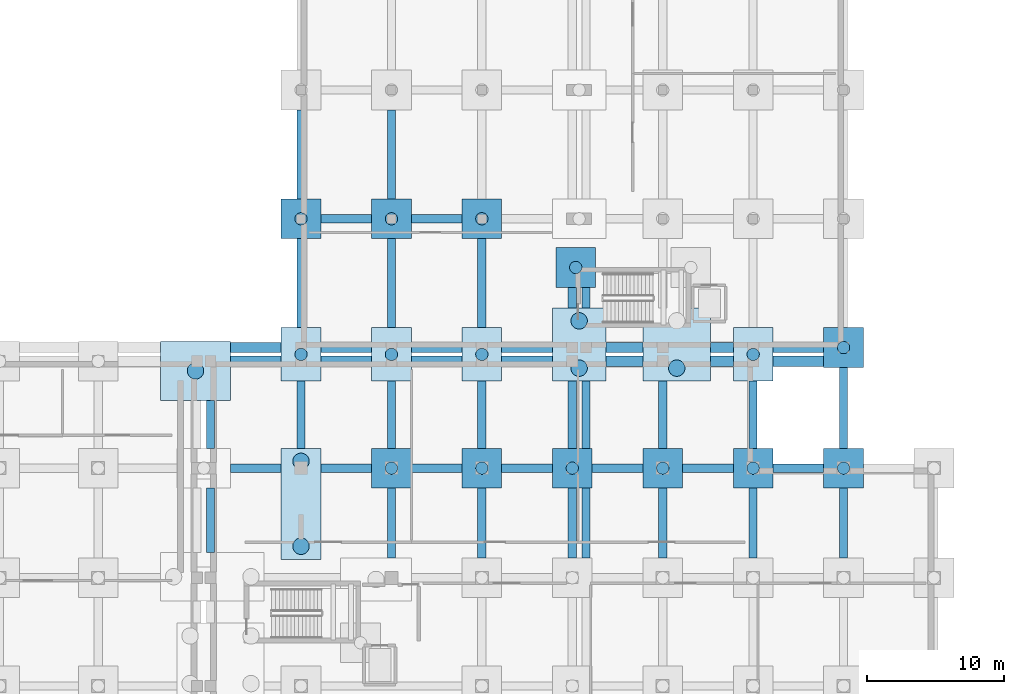
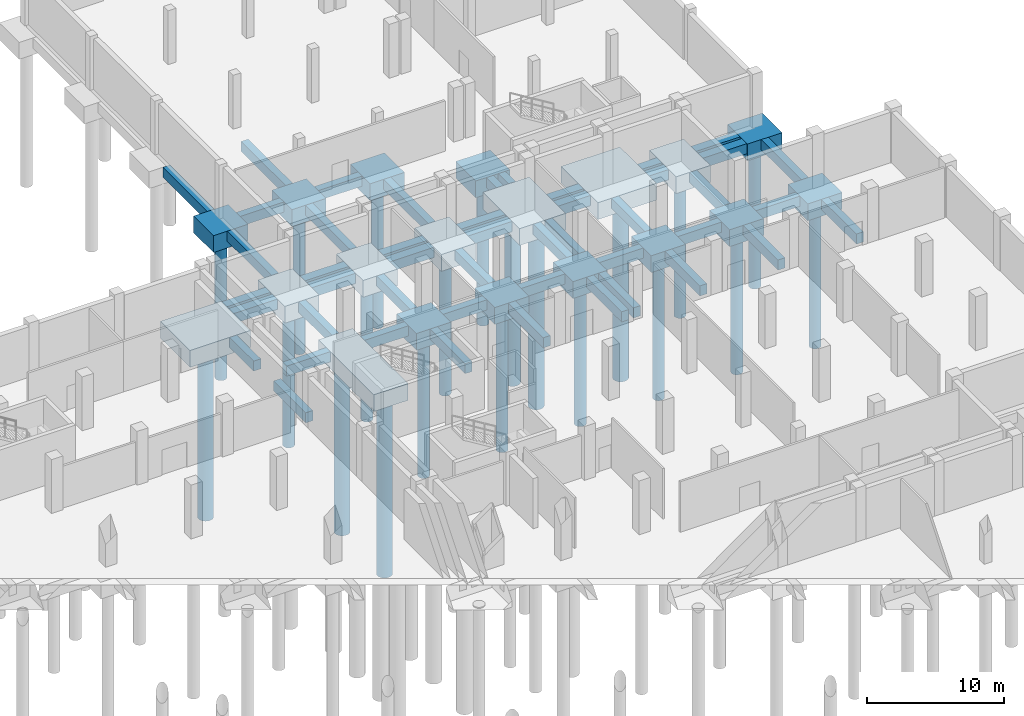
# One storey, part 9 of 29: 66 footings, 21 piles.
"""IFC4 building model written with IfcOpenShell, lengths in metres."""

from ifc_helpers import new_model, si_unit, direction, frame, origin, origin_2d, place, context, subcontext, project, spatial, polyline, rectangle, circle, outline, extrude, material, material_profile, profile_set, type_object, element, save


model = new_model("IFC4")

# Units and contexts
model_context = context("Model", 3, precision=1e-05, world=origin(), true_north=direction((0.0, 1.0)))
body_context = subcontext(model_context, "Body", "Model", "MODEL_VIEW")
ifc_project = project(units=[si_unit("LENGTHUNIT", "METRE"), si_unit("AREAUNIT", "SQUARE_METRE"), si_unit("VOLUMEUNIT", "CUBIC_METRE"), si_unit("PLANEANGLEUNIT", "RADIAN"), si_unit("MASSUNIT", "GRAM", prefix="KILO")], contexts=[model_context])

# Site, building, storey
site_placement = place(None, origin())
site = spatial("IfcSite", under=ifc_project, at=site_placement, CompositionType="ELEMENT")
building_placement = place(site_placement, origin())
building = spatial("IfcBuilding", under=site, at=building_placement, Name="Kelarvand Opera House", CompositionType="ELEMENT")
storey_placement = place(building_placement, frame((0.0, 0.0, -9.60009765625)))
storey = spatial("IfcBuildingStorey", under=building, at=storey_placement, Name="B2", CompositionType="ELEMENT", Elevation=-9.60009765625)

# Piles
ifc_material = material(Name="Concrete C40/50", Category="concrete")
ifc_material_profile_1 = material_profile(ifc_material, circle(Radius=0.60009765625, at=origin_2d()), Name="BP 1200", Category="concrete")
ifc_profile_set_1 = profile_set([ifc_material_profile_1], Name="Concrete C40/50")
pile_type_1 = type_object("IfcPileType", Name="Bored Pile 1200 Concrete C40/50", PredefinedType="BORED", material=ifc_profile_set_1)
for number, where, z_axis, x_axis, name in (
    (1, (95.60009765625, 72.699951171875, -1.7998046875), (0.0, 0.0, -1.0), (1.0, 0.0, 0.0), "V1 Bored Pile 195"),
    (2, (95.60009765625, 78.89990234375, -1.7998046875), (0.0, 0.0, -1.0), (1.0, 0.0, 0.0), "V1 Bored Pile 196"),
    (3, (87.89990234375, 85.5, -1.7998046875), (0.0, 0.0, -1.0), (1.0, 0.0, 0.0), "V1 Bored Pile 215"),
    (4, (115.89990234375, 85.699951171875, -1.7998046875), (0.0, 0.0, -1.0), (1.0, 0.0, 0.0), "V1 Bored Pile 224"),
    (5, (115.89990234375, 89.14990234375, -1.7998046875), (0.0, 0.0, -1.0), (1.0, 0.0, 0.0), "V1 Bored Pile 225"),
    (6, (123.02490234375, 85.699951171875, -1.7998046875), (0.0, 0.0, -1.0), (1.0, 0.0, 0.0), "V1 Bored Pile 226"),
):
    element("IfcPile", number, at=place(storey_placement, frame(where, z_axis=z_axis, x_axis=x_axis)), inside=storey, type_object=pile_type_1, Name=name, PredefinedType="BORED", context=body_context, shape_type="SweptSolid", body=[
        extrude(circle(Radius=0.60009765625, at=origin_2d()), origin(), (0.0, 0.0, 1.0), 15.60009765625),
    ])
ifc_material_profile_2 = material_profile(ifc_material, circle(Radius=0.449951171875, at=origin_2d()), Name="BP 900", Category="concrete")
ifc_profile_set_2 = profile_set([ifc_material_profile_2], Name="Concrete C40/50")
pile_type_2 = type_object("IfcPileType", Name="Bored Pile 900 Concrete C40/50", PredefinedType="BORED", material=ifc_profile_set_2)
for number, where, z_axis, x_axis, name in (
    (7, (102.199951171875, 78.39990234375, -1.7998046875), (0.0, 0.0, -1.0), (1.0, 0.0, 0.0), "V1 Bored Pile 208"),
    (8, (108.800048828125, 78.39990234375, -1.7998046875), (0.0, 0.0, -1.0), (1.0, 0.0, 0.0), "V1 Bored Pile 209"),
    (9, (115.39990234375, 78.39990234375, -1.7998046875), (0.0, 0.0, -1.0), (1.0, 0.0, 0.0), "V1 Bored Pile 210"),
    (10, (122.0, 78.39990234375, -1.7998046875), (0.0, 0.0, -1.0), (1.0, 0.0, 0.0), "V1 Bored Pile 211"),
    (11, (128.60009765625, 78.39990234375, -1.7998046875), (0.0, 0.0, -1.0), (1.0, 0.0, 0.0), "V1 Bored Pile 212"),
    (12, (135.199951171875, 78.39990234375, -1.7998046875), (0.0, 0.0, -1.0), (1.0, 0.0, 0.0), "V1 Bored Pile 213"),
    (13, (95.60009765625, 86.699951171875, -1.7998046875), (0.0, 0.0, -1.0), (1.0, 0.0, 0.0), "V1 Bored Pile 221"),
    (14, (102.199951171875, 86.699951171875, -1.7998046875), (0.0, 0.0, -1.0), (1.0, 0.0, 0.0), "V1 Bored Pile 222"),
    (15, (108.800048828125, 86.699951171875, -1.7998046875), (0.0, 0.0, -1.0), (1.0, 0.0, 0.0), "V1 Bored Pile 223"),
    (16, (128.60009765625, 86.699951171875, -1.7998046875), (0.0, 0.0, -1.0), (1.0, 0.0, 0.0), "V1 Bored Pile 228"),
    (17, (135.199951171875, 87.199951171875, -1.7998046875), (0.0, 0.0, -1.0), (1.0, 0.0, 0.0), "V5 Bored Pile 240"),
    (18, (115.64990234375, 93.050048828125, -1.7998046875), (0.0, 0.0, -1.0), (1.0, 0.0, 0.0), "V5 Bored Pile 244"),
    (19, (95.60009765625, 96.60009765625, -1.7998046875), (0.0, 0.0, -1.0), (1.0, 0.0, 0.0), "V5 Bored Pile 252"),
    (20, (102.199951171875, 96.60009765625, -1.7998046875), (0.0, 0.0, -1.0), (1.0, 0.0, 0.0), "V5 Bored Pile 253"),
    (21, (108.800048828125, 96.60009765625, -1.7998046875), (0.0, 0.0, -1.0), (1.0, 0.0, 0.0), "V5 Bored Pile 254"),
):
    element("IfcPile", number, at=place(storey_placement, frame(where, z_axis=z_axis, x_axis=x_axis)), inside=storey, type_object=pile_type_2, Name=name, PredefinedType="BORED", context=body_context, shape_type="SweptSolid", body=[
        extrude(circle(Radius=0.449951171875, at=origin_2d()), origin(), (0.0, 0.0, 1.0), 12.60009765625),
    ])

# Footings
footing_type_1 = type_object("IfcFootingType", Name="Ground Tie Beam 600x900 Concrete C40/50", PredefinedType="FOOTING_BEAM", material=ifc_material)
footing_1_placement = place(storey_placement, frame((0.0, 0.0, -1.2998046875)))
element("IfcFooting", 22, at=footing_1_placement, inside=storey, type_object=footing_type_1, Name="Ground Beam 177", PredefinedType="FOOTING_BEAM", context=body_context, shape_type="SweptSolid", body=[
    extrude(outline(polyline([(90.449951171875, 78.10009765625), (94.14990234375, 78.10009765625), (94.14990234375, 78.699951171875), (90.449951171875, 78.699951171875), (90.449951171875, 78.10009765625)])), origin(), (0.0, 0.0, 1.0), 0.89990234375),
])
footing_2_placement = place(storey_placement, frame((0.0, 0.0, -1.2998046875)))
element("IfcFooting", 23, at=footing_2_placement, inside=storey, type_object=footing_type_1, Name="Ground Beam 178", PredefinedType="FOOTING_BEAM", context=body_context, shape_type="SweptSolid", body=[
    extrude(outline(polyline([(97.050048828125, 78.10009765625), (100.75, 78.10009765625), (100.75, 78.699951171875), (97.050048828125, 78.699951171875), (97.050048828125, 78.10009765625)])), origin(), (0.0, 0.0, 1.0), 0.89990234375),
])
footing_3_placement = place(storey_placement, frame((0.0, 0.0, -1.2998046875)))
element("IfcFooting", 24, at=footing_3_placement, inside=storey, type_object=footing_type_1, Name="Ground Beam 179", PredefinedType="FOOTING_BEAM", context=body_context, shape_type="SweptSolid", body=[
    extrude(outline(polyline([(103.64990234375, 78.10009765625), (107.35009765625, 78.10009765625), (107.35009765625, 78.699951171875), (103.64990234375, 78.699951171875), (103.64990234375, 78.10009765625)])), origin(), (0.0, 0.0, 1.0), 0.89990234375),
])
footing_4_placement = place(storey_placement, frame((0.0, 0.0, -1.2998046875)))
element("IfcFooting", 25, at=footing_4_placement, inside=storey, type_object=footing_type_1, Name="Ground Beam 180", PredefinedType="FOOTING_BEAM", context=body_context, shape_type="SweptSolid", body=[
    extrude(outline(polyline([(110.25, 78.10009765625), (113.949951171875, 78.10009765625), (113.949951171875, 78.699951171875), (110.25, 78.699951171875), (110.25, 78.10009765625)])), origin(), (0.0, 0.0, 1.0), 0.89990234375),
])
footing_5_placement = place(storey_placement, frame((0.0, 0.0, -1.2998046875)))
element("IfcFooting", 26, at=footing_5_placement, inside=storey, type_object=footing_type_1, Name="Ground Beam 181", PredefinedType="FOOTING_BEAM", context=body_context, shape_type="SweptSolid", body=[
    extrude(outline(polyline([(116.85009765625, 78.10009765625), (120.550048828125, 78.10009765625), (120.550048828125, 78.699951171875), (116.85009765625, 78.699951171875), (116.85009765625, 78.10009765625)])), origin(), (0.0, 0.0, 1.0), 0.89990234375),
])
footing_6_placement = place(storey_placement, frame((0.0, 0.0, -1.2998046875)))
element("IfcFooting", 27, at=footing_6_placement, inside=storey, type_object=footing_type_1, Name="Ground Beam 182", PredefinedType="FOOTING_BEAM", context=body_context, shape_type="SweptSolid", body=[
    extrude(outline(polyline([(123.449951171875, 78.10009765625), (127.14990234375, 78.10009765625), (127.14990234375, 78.699951171875), (123.449951171875, 78.699951171875), (123.449951171875, 78.10009765625)])), origin(), (0.0, 0.0, 1.0), 0.89990234375),
])
footing_7_placement = place(storey_placement, frame((0.0, 0.0, -1.2998046875)))
element("IfcFooting", 28, at=footing_7_placement, inside=storey, type_object=footing_type_1, Name="Ground Beam 183", PredefinedType="FOOTING_BEAM", context=body_context, shape_type="SweptSolid", body=[
    extrude(outline(polyline([(130.050048828125, 78.10009765625), (133.75, 78.10009765625), (133.75, 78.699951171875), (130.050048828125, 78.699951171875), (130.050048828125, 78.10009765625)])), origin(), (0.0, 0.0, 1.0), 0.89990234375),
])
footing_8_placement = place(storey_placement, frame((0.0, 0.0, -1.2998046875)))
element("IfcFooting", 29, at=footing_8_placement, inside=storey, type_object=footing_type_1, Name="Ground Beam 224", PredefinedType="FOOTING_BEAM", context=body_context, shape_type="SweptSolid", body=[
    extrude(outline(polyline([(97.050048828125, 96.300048828125), (100.75, 96.300048828125), (100.75, 96.89990234375), (97.050048828125, 96.89990234375), (97.050048828125, 96.300048828125)])), origin(), (0.0, 0.0, 1.0), 0.89990234375),
])
footing_9_placement = place(storey_placement, frame((0.0, 0.0, -1.2998046875)))
element("IfcFooting", 30, at=footing_9_placement, inside=storey, type_object=footing_type_1, Name="Ground Beam 225", PredefinedType="FOOTING_BEAM", context=body_context, shape_type="SweptSolid", body=[
    extrude(outline(polyline([(103.64990234375, 96.300048828125), (107.35009765625, 96.300048828125), (107.35009765625, 96.89990234375), (103.64990234375, 96.89990234375), (103.64990234375, 96.300048828125)])), origin(), (0.0, 0.0, 1.0), 0.89990234375),
])
footing_10_placement = place(storey_placement, frame((0.0, 0.0, -1.2998046875)))
element("IfcFooting", 31, at=footing_10_placement, inside=storey, type_object=footing_type_1, Name="Ground Beam 391", PredefinedType="FOOTING_BEAM", context=body_context, shape_type="SweptSolid", body=[
    extrude(outline(polyline([(88.699951171875, 72.25), (89.300048828125, 72.25), (89.300048828125, 76.949951171875), (88.699951171875, 76.949951171875), (88.699951171875, 72.25)])), origin(), (0.0, 0.0, 1.0), 0.89990234375),
])
footing_11_placement = place(storey_placement, frame((0.0, 0.0, -1.2998046875)))
element("IfcFooting", 32, at=footing_11_placement, inside=storey, type_object=footing_type_1, Name="Ground Beam 392", PredefinedType="FOOTING_BEAM", context=body_context, shape_type="SweptSolid", body=[
    extrude(outline(polyline([(88.699951171875, 79.85009765625), (89.300048828125, 79.85009765625), (89.300048828125, 83.35009765625), (88.699951171875, 83.35009765625), (88.699951171875, 79.85009765625)])), origin(), (0.0, 0.0, 1.0), 0.89990234375),
])
footing_12_placement = place(storey_placement, frame((0.0, 0.0, -1.2998046875)))
element("IfcFooting", 33, at=footing_12_placement, inside=storey, type_object=footing_type_1, Name="Ground Beam 400", PredefinedType="FOOTING_BEAM", context=body_context, shape_type="SweptSolid", body=[
    extrude(outline(polyline([(95.300048828125, 79.85009765625), (95.89990234375, 79.85009765625), (95.89990234375, 84.75), (95.300048828125, 84.75), (95.300048828125, 79.85009765625)])), origin(), (0.0, 0.0, 1.0), 0.89990234375),
])
footing_13_placement = place(storey_placement, frame((0.0, 0.0, -1.2998046875)))
element("IfcFooting", 34, at=footing_13_placement, inside=storey, type_object=footing_type_1, Name="Ground Beam 401", PredefinedType="FOOTING_BEAM", context=body_context, shape_type="SweptSolid", body=[
    extrude(outline(polyline([(95.300048828125, 88.64990234375), (95.89990234375, 88.64990234375), (95.89990234375, 95.14990234375), (95.300048828125, 95.14990234375), (95.300048828125, 88.64990234375)])), origin(), (0.0, 0.0, 1.0), 0.89990234375),
])
footing_14_placement = place(storey_placement, frame((0.0, 0.0, -1.2998046875)))
element("IfcFooting", 35, at=footing_14_placement, inside=storey, type_object=footing_type_1, Name="Ground Beam 402", PredefinedType="FOOTING_BEAM", context=body_context, shape_type="SweptSolid", body=[
    extrude(outline(polyline([(95.300048828125, 98.050048828125), (95.89990234375, 98.050048828125), (95.89990234375, 104.550048828125), (95.300048828125, 104.550048828125), (95.300048828125, 98.050048828125)])), origin(), (0.0, 0.0, 1.0), 0.89990234375),
])
footing_15_placement = place(storey_placement, frame((0.0, 0.0, -1.2998046875)))
element("IfcFooting", 36, at=footing_15_placement, inside=storey, type_object=footing_type_1, Name="Ground Beam 411", PredefinedType="FOOTING_BEAM", context=body_context, shape_type="SweptSolid", body=[
    extrude(outline(polyline([(101.89990234375, 71.85009765625), (102.5, 71.85009765625), (102.5, 76.949951171875), (101.89990234375, 76.949951171875), (101.89990234375, 71.85009765625)])), origin(), (0.0, 0.0, 1.0), 0.89990234375),
])
footing_16_placement = place(storey_placement, frame((0.0, 0.0, -1.2998046875)))
element("IfcFooting", 37, at=footing_16_placement, inside=storey, type_object=footing_type_1, Name="Ground Beam 412", PredefinedType="FOOTING_BEAM", context=body_context, shape_type="SweptSolid", body=[
    extrude(outline(polyline([(101.89990234375, 79.85009765625), (102.5, 79.85009765625), (102.5, 84.75), (101.89990234375, 84.75), (101.89990234375, 79.85009765625)])), origin(), (0.0, 0.0, 1.0), 0.89990234375),
])
footing_17_placement = place(storey_placement, frame((0.0, 0.0, -1.2998046875)))
element("IfcFooting", 38, at=footing_17_placement, inside=storey, type_object=footing_type_1, Name="Ground Beam 413", PredefinedType="FOOTING_BEAM", context=body_context, shape_type="SweptSolid", body=[
    extrude(outline(polyline([(101.89990234375, 88.64990234375), (102.5, 88.64990234375), (102.5, 95.14990234375), (101.89990234375, 95.14990234375), (101.89990234375, 88.64990234375)])), origin(), (0.0, 0.0, 1.0), 0.89990234375),
])
footing_18_placement = place(storey_placement, frame((0.0, 0.0, -1.2998046875)))
element("IfcFooting", 39, at=footing_18_placement, inside=storey, type_object=footing_type_1, Name="Ground Beam 414", PredefinedType="FOOTING_BEAM", context=body_context, shape_type="SweptSolid", body=[
    extrude(outline(polyline([(101.89990234375, 98.050048828125), (102.5, 98.050048828125), (102.5, 104.550048828125), (101.89990234375, 104.550048828125), (101.89990234375, 98.050048828125)])), origin(), (0.0, 0.0, 1.0), 0.89990234375),
])
footing_19_placement = place(storey_placement, frame((0.0, 0.0, -1.2998046875)))
element("IfcFooting", 40, at=footing_19_placement, inside=storey, type_object=footing_type_1, Name="Ground Beam 425", PredefinedType="FOOTING_BEAM", context=body_context, shape_type="SweptSolid", body=[
    extrude(outline(polyline([(108.5, 71.85009765625), (109.10009765625, 71.85009765625), (109.10009765625, 76.949951171875), (108.5, 76.949951171875), (108.5, 71.85009765625)])), origin(), (0.0, 0.0, 1.0), 0.89990234375),
])
footing_20_placement = place(storey_placement, frame((0.0, 0.0, -1.2998046875)))
element("IfcFooting", 41, at=footing_20_placement, inside=storey, type_object=footing_type_1, Name="Ground Beam 426", PredefinedType="FOOTING_BEAM", context=body_context, shape_type="SweptSolid", body=[
    extrude(outline(polyline([(108.5, 79.85009765625), (109.10009765625, 79.85009765625), (109.10009765625, 84.75), (108.5, 84.75), (108.5, 79.85009765625)])), origin(), (0.0, 0.0, 1.0), 0.89990234375),
])
footing_21_placement = place(storey_placement, frame((0.0, 0.0, -1.2998046875)))
element("IfcFooting", 42, at=footing_21_placement, inside=storey, type_object=footing_type_1, Name="Ground Beam 427", PredefinedType="FOOTING_BEAM", context=body_context, shape_type="SweptSolid", body=[
    extrude(outline(polyline([(108.5, 88.64990234375), (109.10009765625, 88.64990234375), (109.10009765625, 95.14990234375), (108.5, 95.14990234375), (108.5, 88.64990234375)])), origin(), (0.0, 0.0, 1.0), 0.89990234375),
])
footing_22_placement = place(storey_placement, frame((0.0, 0.0, -1.2998046875)))
element("IfcFooting", 43, at=footing_22_placement, inside=storey, type_object=footing_type_1, Name="Ground Beam 439", PredefinedType="FOOTING_BEAM", context=body_context, shape_type="SweptSolid", body=[
    extrude(outline(polyline([(115.10009765625, 71.85009765625), (115.699951171875, 71.85009765625), (115.699951171875, 76.949951171875), (115.10009765625, 76.949951171875), (115.10009765625, 71.85009765625)])), origin(), (0.0, 0.0, 1.0), 0.89990234375),
])
footing_23_placement = place(storey_placement, frame((0.0, 0.0, -1.2998046875)))
element("IfcFooting", 44, at=footing_23_placement, inside=storey, type_object=footing_type_1, Name="Ground Beam 440", PredefinedType="FOOTING_BEAM", context=body_context, shape_type="SweptSolid", body=[
    extrude(outline(polyline([(115.10009765625, 79.85009765625), (115.699951171875, 79.85009765625), (115.699951171875, 84.75), (115.10009765625, 84.75), (115.10009765625, 79.85009765625)])), origin(), (0.0, 0.0, 1.0), 0.89990234375),
])
footing_24_placement = place(storey_placement, frame((0.0, 0.0, -1.2998046875)))
element("IfcFooting", 45, at=footing_24_placement, inside=storey, type_object=footing_type_1, Name="Ground Beam 441", PredefinedType="FOOTING_BEAM", context=body_context, shape_type="SweptSolid", body=[
    extrude(outline(polyline([(115.10009765625, 90.10009765625), (115.699951171875, 90.10009765625), (115.699951171875, 91.60009765625), (115.10009765625, 91.60009765625), (115.10009765625, 90.10009765625)])), origin(), (0.0, 0.0, 1.0), 0.89990234375),
])
footing_25_placement = place(storey_placement, frame((0.0, 0.0, -1.2998046875)))
element("IfcFooting", 46, at=footing_25_placement, inside=storey, type_object=footing_type_1, Name="Ground Beam 453", PredefinedType="FOOTING_BEAM", context=body_context, shape_type="SweptSolid", body=[
    extrude(outline(polyline([(116.10009765625, 71.85009765625), (116.699951171875, 71.85009765625), (116.699951171875, 76.949951171875), (116.10009765625, 76.949951171875), (116.10009765625, 71.85009765625)])), origin(), (0.0, 0.0, 1.0), 0.89990234375),
])
footing_26_placement = place(storey_placement, frame((0.0, 0.0, -1.2998046875)))
element("IfcFooting", 47, at=footing_26_placement, inside=storey, type_object=footing_type_1, Name="Ground Beam 454", PredefinedType="FOOTING_BEAM", context=body_context, shape_type="SweptSolid", body=[
    extrude(outline(polyline([(116.10009765625, 79.85009765625), (116.699951171875, 79.85009765625), (116.699951171875, 84.75), (116.10009765625, 84.75), (116.10009765625, 79.85009765625)])), origin(), (0.0, 0.0, 1.0), 0.89990234375),
])
footing_27_placement = place(storey_placement, frame((0.0, 0.0, -1.2998046875)))
element("IfcFooting", 48, at=footing_27_placement, inside=storey, type_object=footing_type_1, Name="Ground Beam 455", PredefinedType="FOOTING_BEAM", context=body_context, shape_type="SweptSolid", body=[
    extrude(outline(polyline([(116.10009765625, 90.10009765625), (116.699951171875, 90.10009765625), (116.699951171875, 91.60009765625), (116.10009765625, 91.60009765625), (116.10009765625, 90.10009765625)])), origin(), (0.0, 0.0, 1.0), 0.89990234375),
])
footing_28_placement = place(storey_placement, frame((0.0, 0.0, -1.2998046875)))
element("IfcFooting", 49, at=footing_28_placement, inside=storey, type_object=footing_type_1, Name="Ground Beam 467", PredefinedType="FOOTING_BEAM", context=body_context, shape_type="SweptSolid", body=[
    extrude(outline(polyline([(121.699951171875, 71.85009765625), (122.300048828125, 71.85009765625), (122.300048828125, 76.949951171875), (121.699951171875, 76.949951171875), (121.699951171875, 71.85009765625)])), origin(), (0.0, 0.0, 1.0), 0.89990234375),
])
footing_29_placement = place(storey_placement, frame((0.0, 0.0, -1.2998046875)))
element("IfcFooting", 50, at=footing_29_placement, inside=storey, type_object=footing_type_1, Name="Ground Beam 468", PredefinedType="FOOTING_BEAM", context=body_context, shape_type="SweptSolid", body=[
    extrude(outline(polyline([(121.699951171875, 79.85009765625), (122.300048828125, 79.85009765625), (122.300048828125, 84.75), (121.699951171875, 84.75), (121.699951171875, 79.85009765625)])), origin(), (0.0, 0.0, 1.0), 0.89990234375),
])
footing_30_placement = place(storey_placement, frame((0.0, 0.0, -1.2998046875)))
element("IfcFooting", 51, at=footing_30_placement, inside=storey, type_object=footing_type_1, Name="Ground Beam 481", PredefinedType="FOOTING_BEAM", context=body_context, shape_type="SweptSolid", body=[
    extrude(outline(polyline([(128.300048828125, 71.85009765625), (128.89990234375, 71.85009765625), (128.89990234375, 76.949951171875), (128.300048828125, 76.949951171875), (128.300048828125, 71.85009765625)])), origin(), (0.0, 0.0, 1.0), 0.89990234375),
])
footing_31_placement = place(storey_placement, frame((0.0, 0.0, -1.2998046875)))
element("IfcFooting", 52, at=footing_31_placement, inside=storey, type_object=footing_type_1, Name="Ground Beam 482", PredefinedType="FOOTING_BEAM", context=body_context, shape_type="SweptSolid", body=[
    extrude(outline(polyline([(128.300048828125, 79.85009765625), (128.89990234375, 79.85009765625), (128.89990234375, 84.75), (128.300048828125, 84.75), (128.300048828125, 79.85009765625)])), origin(), (0.0, 0.0, 1.0), 0.89990234375),
])
footing_32_placement = place(storey_placement, frame((0.0, 0.0, -1.2998046875)))
element("IfcFooting", 53, at=footing_32_placement, inside=storey, type_object=footing_type_1, Name="Ground Beam 495", PredefinedType="FOOTING_BEAM", context=body_context, shape_type="SweptSolid", body=[
    extrude(outline(polyline([(134.89990234375, 71.85009765625), (135.5, 71.85009765625), (135.5, 76.949951171875), (134.89990234375, 76.949951171875), (134.89990234375, 71.85009765625)])), origin(), (0.0, 0.0, 1.0), 0.89990234375),
])
footing_33_placement = place(storey_placement, frame((0.0, 0.0, -1.2998046875)))
element("IfcFooting", 54, at=footing_33_placement, inside=storey, type_object=footing_type_1, Name="Ground Beam 496", PredefinedType="FOOTING_BEAM", context=body_context, shape_type="SweptSolid", body=[
    extrude(outline(polyline([(134.89990234375, 79.85009765625), (135.5, 79.85009765625), (135.5, 85.75), (134.89990234375, 85.75), (134.89990234375, 79.85009765625)])), origin(), (0.0, 0.0, 1.0), 0.89990234375),
])
footing_type_2 = type_object("IfcFootingType", Name="Perimeter Strip Footing 750x900 Concrete C40/50", PredefinedType="STRIP_FOOTING", material=ifc_material)
footing_34_placement = place(storey_placement, frame((0.0, 0.0, -1.2998046875)))
element("IfcFooting", 55, at=footing_34_placement, inside=storey, type_object=footing_type_2, Name="Ground Beam 195", PredefinedType="STRIP_FOOTING", context=body_context, shape_type="SweptSolid", body=[
    extrude(outline(polyline([(90.449951171875, 85.824951171875), (94.14990234375, 85.824951171875), (94.14990234375, 86.574951171875), (90.449951171875, 86.574951171875), (90.449951171875, 85.824951171875)])), origin(), (0.0, 0.0, 1.0), 0.89990234375),
])
footing_35_placement = place(storey_placement, frame((0.0, 0.0, -1.2998046875)))
element("IfcFooting", 56, at=footing_35_placement, inside=storey, type_object=footing_type_2, Name="Ground Beam 196", PredefinedType="STRIP_FOOTING", context=body_context, shape_type="SweptSolid", body=[
    extrude(outline(polyline([(97.050048828125, 85.824951171875), (100.75, 85.824951171875), (100.75, 86.574951171875), (97.050048828125, 86.574951171875), (97.050048828125, 85.824951171875)])), origin(), (0.0, 0.0, 1.0), 0.89990234375),
])
footing_36_placement = place(storey_placement, frame((0.0, 0.0, -1.2998046875)))
element("IfcFooting", 57, at=footing_36_placement, inside=storey, type_object=footing_type_2, Name="Ground Beam 197", PredefinedType="STRIP_FOOTING", context=body_context, shape_type="SweptSolid", body=[
    extrude(outline(polyline([(103.64990234375, 85.824951171875), (107.35009765625, 85.824951171875), (107.35009765625, 86.574951171875), (103.64990234375, 86.574951171875), (103.64990234375, 85.824951171875)])), origin(), (0.0, 0.0, 1.0), 0.89990234375),
])
footing_37_placement = place(storey_placement, frame((0.0, 0.0, -1.2998046875)))
element("IfcFooting", 58, at=footing_37_placement, inside=storey, type_object=footing_type_2, Name="Ground Beam 198", PredefinedType="STRIP_FOOTING", context=body_context, shape_type="SweptSolid", body=[
    extrude(outline(polyline([(110.25, 85.824951171875), (113.949951171875, 85.824951171875), (113.949951171875, 86.574951171875), (110.25, 86.574951171875), (110.25, 85.824951171875)])), origin(), (0.0, 0.0, 1.0), 0.89990234375),
])
footing_38_placement = place(storey_placement, frame((0.0, 0.0, -1.2998046875)))
element("IfcFooting", 59, at=footing_38_placement, inside=storey, type_object=footing_type_2, Name="Ground Beam 199", PredefinedType="STRIP_FOOTING", context=body_context, shape_type="SweptSolid", body=[
    extrude(outline(polyline([(117.85009765625, 85.824951171875), (120.550048828125, 85.824951171875), (120.550048828125, 86.574951171875), (117.85009765625, 86.574951171875), (117.85009765625, 85.824951171875)])), origin(), (0.0, 0.0, 1.0), 0.89990234375),
])
footing_39_placement = place(storey_placement, frame((0.0, 0.0, -1.2998046875)))
element("IfcFooting", 60, at=footing_39_placement, inside=storey, type_object=footing_type_2, Name="Ground Beam 200", PredefinedType="STRIP_FOOTING", context=body_context, shape_type="SweptSolid", body=[
    extrude(outline(polyline([(125.5, 85.824951171875), (127.14990234375, 85.824951171875), (127.14990234375, 86.574951171875), (125.5, 86.574951171875), (125.5, 85.824951171875)])), origin(), (0.0, 0.0, 1.0), 0.89990234375),
])
footing_40_placement = place(storey_placement, frame((0.0, 0.0, -1.2998046875)))
element("IfcFooting", 61, at=footing_40_placement, inside=storey, type_object=footing_type_2, Name="Ground Beam 201", PredefinedType="STRIP_FOOTING", context=body_context, shape_type="SweptSolid", body=[
    extrude(outline(polyline([(130.050048828125, 85.824951171875), (133.75, 85.824951171875), (133.75, 86.574951171875), (130.050048828125, 86.574951171875), (130.050048828125, 85.824951171875)])), origin(), (0.0, 0.0, 1.0), 0.89990234375),
])
footing_41_placement = place(storey_placement, frame((0.0, 0.0, -1.2998046875)))
element("IfcFooting", 62, at=footing_41_placement, inside=storey, type_object=footing_type_2, Name="Ground Beam 212", PredefinedType="STRIP_FOOTING", context=body_context, shape_type="SweptSolid", body=[
    extrude(outline(polyline([(90.449951171875, 86.824951171875), (94.14990234375, 86.824951171875), (94.14990234375, 87.574951171875), (90.449951171875, 87.574951171875), (90.449951171875, 86.824951171875)])), origin(), (0.0, 0.0, 1.0), 0.89990234375),
])
footing_42_placement = place(storey_placement, frame((0.0, 0.0, -1.2998046875)))
element("IfcFooting", 63, at=footing_42_placement, inside=storey, type_object=footing_type_2, Name="Ground Beam 213", PredefinedType="STRIP_FOOTING", context=body_context, shape_type="SweptSolid", body=[
    extrude(outline(polyline([(97.050048828125, 86.824951171875), (100.75, 86.824951171875), (100.75, 87.574951171875), (97.050048828125, 87.574951171875), (97.050048828125, 86.824951171875)])), origin(), (0.0, 0.0, 1.0), 0.89990234375),
])
footing_43_placement = place(storey_placement, frame((0.0, 0.0, -1.2998046875)))
element("IfcFooting", 64, at=footing_43_placement, inside=storey, type_object=footing_type_2, Name="Ground Beam 214", PredefinedType="STRIP_FOOTING", context=body_context, shape_type="SweptSolid", body=[
    extrude(outline(polyline([(103.64990234375, 86.824951171875), (107.35009765625, 86.824951171875), (107.35009765625, 87.574951171875), (103.64990234375, 87.574951171875), (103.64990234375, 86.824951171875)])), origin(), (0.0, 0.0, 1.0), 0.89990234375),
])
footing_44_placement = place(storey_placement, frame((0.0, 0.0, -1.2998046875)))
element("IfcFooting", 65, at=footing_44_placement, inside=storey, type_object=footing_type_2, Name="Ground Beam 215", PredefinedType="STRIP_FOOTING", context=body_context, shape_type="SweptSolid", body=[
    extrude(outline(polyline([(110.25, 86.824951171875), (113.949951171875, 86.824951171875), (113.949951171875, 87.574951171875), (110.25, 87.574951171875), (110.25, 86.824951171875)])), origin(), (0.0, 0.0, 1.0), 0.89990234375),
])
footing_45_placement = place(storey_placement, frame((0.0, 0.0, -1.2998046875)))
element("IfcFooting", 66, at=footing_45_placement, inside=storey, type_object=footing_type_2, Name="Ground Beam 216", PredefinedType="STRIP_FOOTING", context=body_context, shape_type="SweptSolid", body=[
    extrude(outline(polyline([(117.85009765625, 86.824951171875), (120.550048828125, 86.824951171875), (120.550048828125, 87.574951171875), (117.85009765625, 87.574951171875), (117.85009765625, 86.824951171875)])), origin(), (0.0, 0.0, 1.0), 0.89990234375),
])
footing_46_placement = place(storey_placement, frame((0.0, 0.0, -1.2998046875)))
element("IfcFooting", 67, at=footing_46_placement, inside=storey, type_object=footing_type_2, Name="Ground Beam 217", PredefinedType="STRIP_FOOTING", context=body_context, shape_type="SweptSolid", body=[
    extrude(outline(polyline([(125.5, 86.824951171875), (127.14990234375, 86.824951171875), (127.14990234375, 87.574951171875), (125.5, 87.574951171875), (125.5, 86.824951171875)])), origin(), (0.0, 0.0, 1.0), 0.89990234375),
])
footing_47_placement = place(storey_placement, frame((0.0, 0.0, -1.2998046875)))
element("IfcFooting", 68, at=footing_47_placement, inside=storey, type_object=footing_type_2, Name="Ground Beam 218", PredefinedType="STRIP_FOOTING", context=body_context, shape_type="SweptSolid", body=[
    extrude(outline(polyline([(130.050048828125, 86.824951171875), (133.75, 86.824951171875), (133.75, 87.574951171875), (130.050048828125, 87.574951171875), (130.050048828125, 86.824951171875)])), origin(), (0.0, 0.0, 1.0), 0.89990234375),
])
footing_type_3 = type_object("IfcFootingType", Name="Pile Cap 2900x2900x1500 PC-01", PredefinedType="PILE_CAP", material=ifc_material)
for number, where, z_axis, x_axis, name in (
    (69, (102.199951171875, 78.39990234375, -1.89990234375), (0.0, 0.0, 1.0), (1.0, 0.0, 0.0), "V1 Pile Cap PC-01 (191)"),
    (70, (108.800048828125, 78.39990234375, -1.89990234375), (0.0, 0.0, 1.0), (1.0, 0.0, 0.0), "V1 Pile Cap PC-01 (192)"),
    (71, (115.39990234375, 78.39990234375, -1.89990234375), (0.0, 0.0, 1.0), (1.0, 0.0, 0.0), "V1 Pile Cap PC-01 (193)"),
    (72, (122.0, 78.39990234375, -1.89990234375), (0.0, 0.0, 1.0), (1.0, 0.0, 0.0), "V1 Pile Cap PC-01 (194)"),
    (73, (128.60009765625, 78.39990234375, -1.89990234375), (0.0, 0.0, 1.0), (1.0, 0.0, 0.0), "V1 Pile Cap PC-01 (195)"),
    (74, (135.199951171875, 78.39990234375, -1.89990234375), (0.0, 0.0, 1.0), (1.0, 0.0, 0.0), "V1 Pile Cap PC-01 (196)"),
    (75, (135.199951171875, 87.199951171875, -1.89990234375), (0.0, 0.0, 1.0), (1.0, 0.0, 0.0), "V5 Pile Cap PC-01 (215)"),
    (76, (115.64990234375, 93.050048828125, -1.89990234375), (0.0, 0.0, 1.0), (1.0, 0.0, 0.0), "V5 Pile Cap PC-01 (219)"),
    (77, (95.60009765625, 96.60009765625, -1.89990234375), (0.0, 0.0, 1.0), (1.0, 0.0, 0.0), "V5 Pile Cap PC-01 (227)"),
    (78, (102.199951171875, 96.60009765625, -1.89990234375), (0.0, 0.0, 1.0), (1.0, 0.0, 0.0), "V5 Pile Cap PC-01 (228)"),
    (79, (108.800048828125, 96.60009765625, -1.89990234375), (0.0, 0.0, 1.0), (1.0, 0.0, 0.0), "V5 Pile Cap PC-01 (229)"),
):
    element("IfcFooting", number, at=place(storey_placement, frame(where, z_axis=z_axis, x_axis=x_axis)), inside=storey, type_object=footing_type_3, Name=name, PredefinedType="PILE_CAP", context=body_context, shape_type="SweptSolid", body=[
        extrude(rectangle(XDim=2.89990234375, YDim=2.89990234375, at=origin_2d()), origin(), (0.0, 0.0, 1.0), 1.5),
    ])
footing_type_4 = type_object("IfcFootingType", Name="Pile Cap 2900x3900x1500 PC-10", PredefinedType="PILE_CAP", material=ifc_material)
for number, where, z_axis, x_axis, name in (
    (80, (95.60009765625, 86.699951171875, -1.89990234375), (0.0, 0.0, 1.0), (1.0, 0.0, 0.0), "V1 Pile Cap PC-10 (204)"),
    (81, (102.199951171875, 86.699951171875, -1.89990234375), (0.0, 0.0, 1.0), (1.0, 0.0, 0.0), "V1 Pile Cap PC-10 (205)"),
    (82, (108.800048828125, 86.699951171875, -1.89990234375), (0.0, 0.0, 1.0), (1.0, 0.0, 0.0), "V1 Pile Cap PC-10 (206)"),
    (83, (128.60009765625, 86.699951171875, -1.89990234375), (0.0, 0.0, 1.0), (1.0, 0.0, 0.0), "V1 Pile Cap PC-10 (209)"),
):
    element("IfcFooting", number, at=place(storey_placement, frame(where, z_axis=z_axis, x_axis=x_axis)), inside=storey, type_object=footing_type_4, Name=name, PredefinedType="PILE_CAP", context=body_context, shape_type="SweptSolid", body=[
        extrude(rectangle(XDim=2.89990234375, YDim=3.89990234375, at=origin_2d()), origin(), (0.0, 0.0, 1.0), 1.5),
    ])
footing_type_5 = type_object("IfcFootingType", Name="Pile Cap 2900x8100x1500 PC-23", PredefinedType="PILE_CAP", material=ifc_material)
footing_48_placement = place(storey_placement, frame((95.60009765625, 75.800048828125, -1.89990234375), z_axis=(0.0, 0.0, 1.0), x_axis=(1.0, 0.0, 0.0)))
element("IfcFooting", 84, at=footing_48_placement, inside=storey, type_object=footing_type_5, Name="V1 Pile Cap PC-23 (179)", PredefinedType="PILE_CAP", context=body_context, shape_type="SweptSolid", body=[
    extrude(rectangle(XDim=2.89990234375, YDim=8.10009765625, at=origin_2d()), origin(), (0.0, 0.0, 1.0), 1.5),
])
footing_type_6 = type_object("IfcFootingType", Name="Pile Cap 3900x5350x1500 PC-26", PredefinedType="PILE_CAP", material=ifc_material)
footing_49_placement = place(storey_placement, frame((115.89990234375, 87.425048828125, -1.89990234375), z_axis=(0.0, 0.0, 1.0), x_axis=(1.0, 0.0, 0.0)))
element("IfcFooting", 85, at=footing_49_placement, inside=storey, type_object=footing_type_6, Name="V1 Pile Cap PC-26 (207)", PredefinedType="PILE_CAP", context=body_context, shape_type="SweptSolid", body=[
    extrude(rectangle(XDim=3.89990234375, YDim=5.35009765625, at=origin_2d()), origin(), (0.0, 0.0, 1.0), 1.5),
])
footing_type_7 = type_object("IfcFootingType", Name="Pile Cap 4950x5350x1500 PC-27", PredefinedType="PILE_CAP", material=ifc_material)
footing_50_placement = place(storey_placement, frame((123.02490234375, 87.425048828125, -1.89990234375), z_axis=(0.0, 0.0, 1.0), x_axis=(1.0, 0.0, 0.0)))
element("IfcFooting", 86, at=footing_50_placement, inside=storey, type_object=footing_type_7, Name="V1 Pile Cap PC-27 (208)", PredefinedType="PILE_CAP", context=body_context, shape_type="SweptSolid", body=[
    extrude(rectangle(XDim=4.949951171875, YDim=5.35009765625, at=origin_2d()), origin(), (0.0, 0.0, 1.0), 1.5),
])
footing_type_8 = type_object("IfcFootingType", Name="Pile Cap 5100x4300x1500 PC-25", PredefinedType="PILE_CAP", material=ifc_material)
footing_51_placement = place(storey_placement, frame((87.89990234375, 85.5, -1.89990234375), z_axis=(0.0, 0.0, 1.0), x_axis=(1.0, 0.0, 0.0)))
element("IfcFooting", 87, at=footing_51_placement, inside=storey, type_object=footing_type_8, Name="V1 Pile Cap PC-25 (198)", PredefinedType="PILE_CAP", context=body_context, shape_type="SweptSolid", body=[
    extrude(rectangle(XDim=5.10009765625, YDim=4.300048828125, at=origin_2d()), origin(), (0.0, 0.0, 1.0), 1.5),
])

save(model, "model.ifc")
